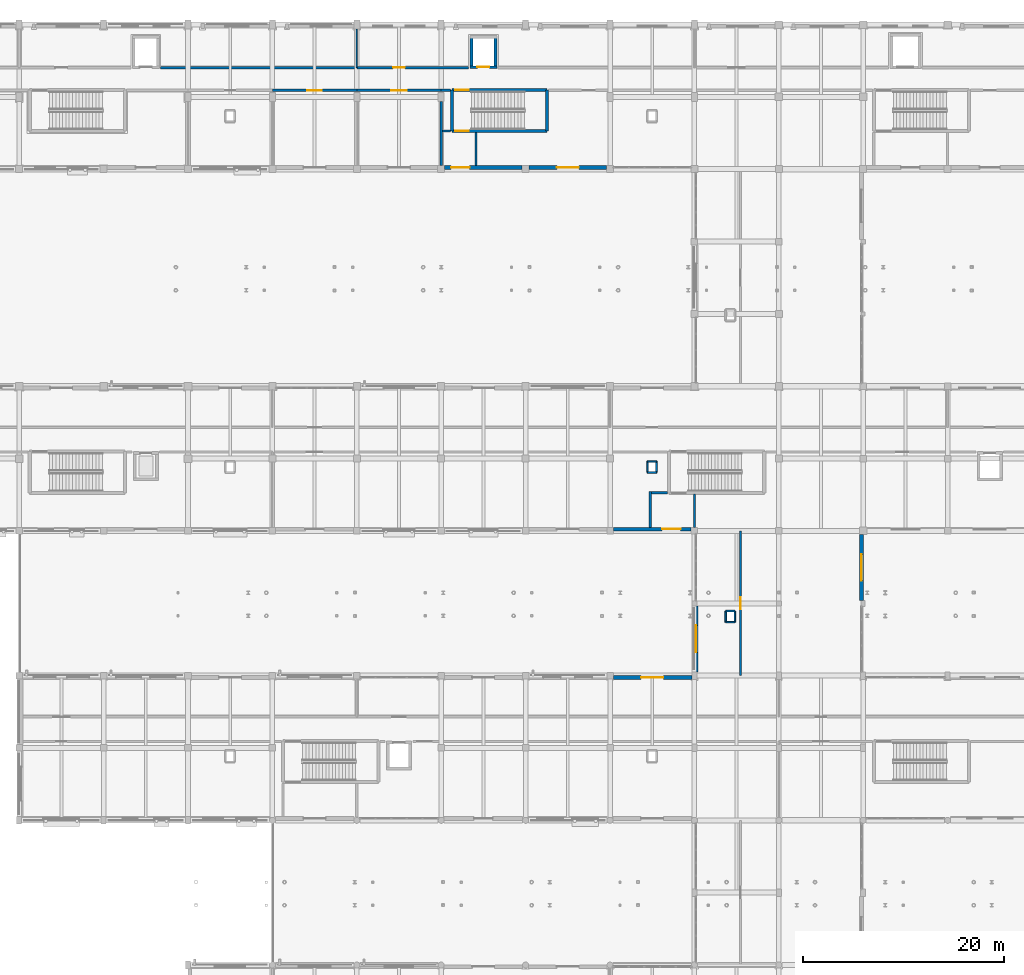
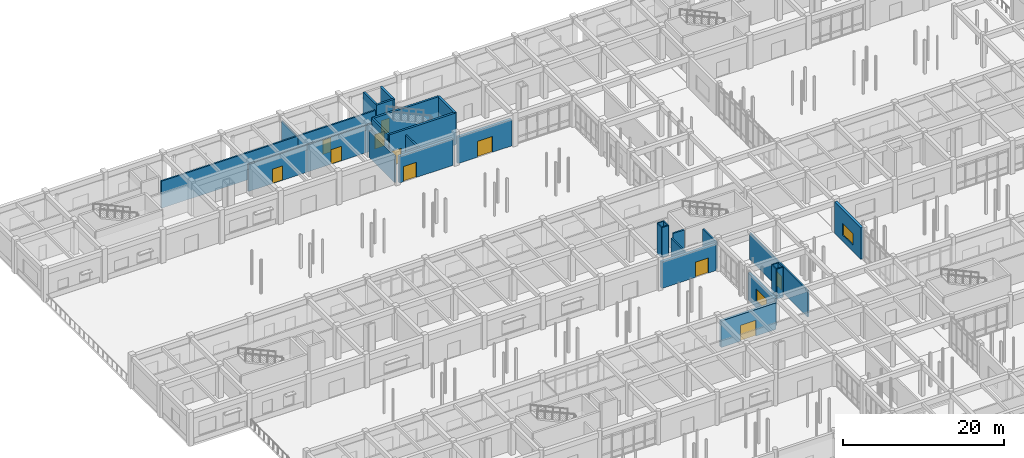
# One storey, part 82 of 121: 34 walls, 11 doors, 2 windows, 13 openings.
"""IFC4 building model written with IfcOpenShell, lengths in metres."""

from ifc_helpers import new_model, si_unit, direction, frame, frame_2d, origin, place, context, subcontext, project, spatial, rectangle, extrude, material, layer, layer_set, type_object, element, fill, save


model = new_model("IFC4")

# Units and contexts
model_context = context("Model", 3, precision=1e-05, world=origin(), true_north=direction((0.0, 1.0)))
body_context = subcontext(model_context, "Body", "Model", "MODEL_VIEW")
ifc_project = project(units=[si_unit("LENGTHUNIT", "METRE"), si_unit("AREAUNIT", "SQUARE_METRE"), si_unit("VOLUMEUNIT", "CUBIC_METRE"), si_unit("PLANEANGLEUNIT", "RADIAN"), si_unit("MASSUNIT", "GRAM", prefix="KILO")], contexts=[model_context])

# Site, building, storey
site_placement = place(None, origin())
site = spatial("IfcSite", under=ifc_project, at=site_placement, CompositionType="ELEMENT")
building_placement = place(site_placement, origin())
building = spatial("IfcBuilding", under=site, at=building_placement, Name="Malvenik Polytechnic", CompositionType="ELEMENT")
storey_placement = place(building_placement, origin())
storey = spatial("IfcBuildingStorey", under=building, at=storey_placement, Name="L00", CompositionType="ELEMENT", Elevation=0.0)

# Wall, opening, door
ifc_material_1 = material(Name="Concrete C35/45", Category="concrete")
ifc_layer_1 = layer(ifc_material_1, 0.280029296875)
ifc_layer_set_1 = layer_set([ifc_layer_1], Name="Concrete C35/45")
wall_type_1 = type_object("IfcWallType", Name="ARC-CW-S280", PredefinedType="SHEAR", material=ifc_layer_set_1)
wall_1_placement = place(storey_placement, frame((55.93994140625, 125.35009765625, 0.0), z_axis=(0.0, 0.0, 1.0), x_axis=(-1.0, 0.0, 0.0)))
wall_1 = element("IfcWall", 1, at=wall_1_placement, inside=storey, type_object=wall_type_1, Name="Lift Shaft Shear Wall LS-02 L00 -Y", PredefinedType="SHEAR", context=body_context, shape_type="SweptSolid", body=[
    extrude(rectangle(XDim=2.679931640625, YDim=0.280029296875, at=frame_2d((1.33984375, 0.0))), origin(), (0.0, 0.0, 1.0), 4.820068359375),
])
opening_1_placement = place(wall_1_placement, frame((0.739990234375, 0.0, 0.0)))
opening_1 = element("IfcOpeningElement", 2, at=opening_1_placement, cuts=wall_1, Name="Opening LD-02", PredefinedType="OPENING", context=body_context, shape_type="SweptSolid", body=[
    extrude(rectangle(XDim=1.199951171875, YDim=2.14990234375, at=frame_2d((0.60009765625, 1.074951171875))), frame((0.0, 0.14990234375, 0.0), z_axis=(0.0, -1.0, 0.0), x_axis=(1.0, 0.0, 0.0)), (0.0, 0.0, 1.0), 0.300048828125),
])
ifc_material_2 = material(Name="Stainless steel fire-rated sliding lift landing door", Category="steel")
door_type_1 = type_object("IfcDoorType", Name="ARC-LDR-LD-02", OperationType="NOTDEFINED", PredefinedType="DOOR", material=ifc_material_2)
door_1_placement = place(opening_1_placement, origin())
door_1 = element("IfcDoor", 3, at=door_1_placement, inside=storey, type_object=door_type_1, Name="Lift Sliding Landing Door LS-02 L00", OperationType="DOUBLE_DOOR_SLIDING", OverallHeight=2.14990234375, OverallWidth=1.199951171875, PredefinedType="DOOR", context=body_context, shape_type="SweptSolid", body=[
    extrude(rectangle(XDim=1.199951171875, YDim=2.14990234375, at=frame_2d((0.60009765625, 1.074951171875))), frame((0.0, 0.02490234375, 0.0), z_axis=(0.0, -1.0, 0.0), x_axis=(1.0, 0.0, 0.0)), (0.0, 0.0, 1.0), 0.050048828125),
])
fill(opening_1, door_1)

# Walls
for number, where, z_axis, x_axis, name in (
    (4, (53.39990234375, 125.2099609375, 0.0), (0.0, 0.0, 1.0), (0.0, 1.0, 0.0), "Lift Shaft Shear Wall LS-02 L00 -X"),
    (5, (55.800048828125, 128.489990234375, 0.0), (0.0, 0.0, 1.0), (0.0, -1.0, 0.0), "Lift Shaft Shear Wall LS-02 L00 +X"),
):
    element("IfcWall", number, at=place(storey_placement, frame(where, z_axis=z_axis, x_axis=x_axis)), inside=storey, type_object=wall_type_1, Name=name, PredefinedType="SHEAR", context=body_context, shape_type="SweptSolid", body=[
        extrude(rectangle(XDim=3.280029296875, YDim=0.280029296875, at=frame_2d((1.64013671875, 0.0))), origin(), (0.0, 0.0, 1.0), 4.820068359375),
    ])
ifc_layer_2 = layer(ifc_material_1, 0.300048828125)
ifc_layer_set_2 = layer_set([ifc_layer_2], Name="Concrete C35/45")
wall_type_2 = type_object("IfcWallType", Name="ARC-CW-S300", PredefinedType="SHEAR", material=ifc_layer_set_2)
wall_2_placement = place(storey_placement, frame((51.449951171875, 119.0, 0.0), z_axis=(0.0, 0.0, 1.0), x_axis=(0.0, 1.0, 0.0)))
element("IfcWall", 6, at=wall_2_placement, inside=storey, type_object=wall_type_2, Name="Stair Core Shear Wall ST-02 L00 NEAR", PredefinedType="SHEAR", context=body_context, shape_type="SweptSolid", body=[
    extrude(rectangle(XDim=4.10009765625, YDim=0.300048828125, at=frame_2d((2.050048828125, 0.0))), origin(), (0.0, 0.0, 1.0), 4.820068359375),
])

# Wall, opening, door
wall_3_placement = place(storey_placement, frame((51.449951171875, 123.10009765625, 0.0), z_axis=(0.0, 0.0, 1.0), x_axis=(1.0, 0.0, 0.0)))
wall_3 = element("IfcWall", 7, at=wall_3_placement, inside=storey, type_object=wall_type_2, Name="Stair Core Shear Wall ST-02 L00 RGHT", PredefinedType="SHEAR", context=body_context, shape_type="SweptSolid", body=[
    extrude(rectangle(XDim=9.5, YDim=0.300048828125, at=frame_2d((4.75, 0.0))), origin(), (0.0, 0.0, 1.0), 4.820068359375),
])
opening_2_placement = place(wall_3_placement, frame((0.35009765625, 0.0, 0.0)))
opening_2 = element("IfcOpeningElement", 8, at=opening_2_placement, cuts=wall_3, Name="Opening SD-01", PredefinedType="OPENING", context=body_context, shape_type="SweptSolid", body=[
    extrude(rectangle(XDim=1.35009765625, YDim=2.199951171875, at=frame_2d((0.675048828125, 1.10009765625))), frame((0.0, 0.16015625, 0.0), z_axis=(0.0, -1.0, 0.0), x_axis=(1.0, 0.0, 0.0)), (0.0, 0.0, 1.0), 0.320068359375),
])
ifc_material_3 = material(Name="Fire-rated steel stair enclosure door", Category="steel")
door_type_2 = type_object("IfcDoorType", Name="ARC-IDR-SD-01", OperationType="NOTDEFINED", PredefinedType="DOOR", material=ifc_material_3)
door_2_placement = place(opening_2_placement, origin())
door_2 = element("IfcDoor", 9, at=door_2_placement, inside=storey, type_object=door_type_2, Name="Fire Stair Door ST-02 L00", OperationType="SINGLE_SWING_LEFT", OverallHeight=2.199951171875, OverallWidth=1.35009765625, PredefinedType="DOOR", context=body_context, shape_type="SweptSolid", body=[
    extrude(rectangle(XDim=1.35009765625, YDim=2.199951171875, at=frame_2d((0.675048828125, 1.10009765625))), frame((0.0, 0.02490234375, 0.0), z_axis=(0.0, -1.0, 0.0), x_axis=(1.0, 0.0, 0.0)), (0.0, 0.0, 1.0), 0.050048828125),
])
fill(opening_2, door_2)

# Wall
wall_4_placement = place(storey_placement, frame((60.949951171875, 123.10009765625, 0.0), z_axis=(0.0, 0.0, 1.0), x_axis=(0.0, -1.0, 0.0)))
element("IfcWall", 10, at=wall_4_placement, inside=storey, type_object=wall_type_2, Name="Stair Core Shear Wall ST-02 L00 FAR", PredefinedType="SHEAR", context=body_context, shape_type="SweptSolid", body=[
    extrude(rectangle(XDim=4.10009765625, YDim=0.300048828125, at=frame_2d((2.050048828125, 0.0))), origin(), (0.0, 0.0, 1.0), 4.820068359375),
])

# Wall, opening, door
wall_5_placement = place(storey_placement, frame((60.949951171875, 119.0, 0.0), z_axis=(0.0, 0.0, 1.0), x_axis=(-1.0, 0.0, 0.0)))
wall_5 = element("IfcWall", 11, at=wall_5_placement, inside=storey, type_object=wall_type_2, Name="Stair Core Shear Wall ST-02 L00 LEFT", PredefinedType="SHEAR", context=body_context, shape_type="SweptSolid", body=[
    extrude(rectangle(XDim=9.5, YDim=0.300048828125, at=frame_2d((4.75, 0.0))), origin(), (0.0, 0.0, 1.0), 4.820068359375),
])
opening_3_placement = place(wall_5_placement, frame((7.800048828125, 0.0, 0.0)))
opening_3 = element("IfcOpeningElement", 12, at=opening_3_placement, cuts=wall_5, Name="Opening SD-01", PredefinedType="OPENING", context=body_context, shape_type="SweptSolid", body=[
    extrude(rectangle(XDim=1.35009765625, YDim=2.199951171875, at=frame_2d((0.675048828125, 1.10009765625))), frame((0.0, 0.16015625, 0.0), z_axis=(0.0, -1.0, 0.0), x_axis=(1.0, 0.0, 0.0)), (0.0, 0.0, 1.0), 0.320068359375),
])
door_3_placement = place(opening_3_placement, origin())
door_3 = element("IfcDoor", 13, at=door_3_placement, inside=storey, type_object=door_type_2, Name="Fire Stair Exit Discharge Door ST-02 L00", OperationType="SINGLE_SWING_RIGHT", OverallHeight=2.199951171875, OverallWidth=1.35009765625, PredefinedType="DOOR", context=body_context, shape_type="SweptSolid", body=[
    extrude(rectangle(XDim=1.35009765625, YDim=2.199951171875, at=frame_2d((0.675048828125, 1.10009765625))), frame((0.0, 0.02490234375, 0.0), z_axis=(0.0, -1.0, 0.0), x_axis=(1.0, 0.0, 0.0)), (0.0, 0.0, 1.0), 0.050048828125),
])
fill(opening_3, door_3)

ifc_material_4 = material(Name="Concrete C30/37", Category="concrete")
ifc_layer_3 = layer(ifc_material_4, 0.3798828125)
ifc_layer_set_3 = layer_set([ifc_layer_3], Name="Concrete C30/37")
wall_type_3 = type_object("IfcWallType", Name="ARC-EW-380", PredefinedType="SOLIDWALL", material=ifc_layer_set_3)
wall_6_placement = place(storey_placement, frame((67.52294921875, 64.6298828125, 0.0), z_axis=(0.0, 0.0, 1.0), x_axis=(1.0, 0.0, 0.0)))
wall_6 = element("IfcWall", 14, at=wall_6_placement, inside=storey, type_object=wall_type_3, Name="External Facade Wall EW-01 L00 #51", PredefinedType="SOLIDWALL", context=body_context, shape_type="SweptSolid", body=[
    extrude(rectangle(XDim=7.8291015625, YDim=0.3798828125, at=frame_2d((3.91455078125, 0.0))), origin(), (0.0, 0.0, 1.0), 4.010009765625),
])
opening_4_placement = place(wall_6_placement, frame((2.777099609375, 0.0, 0.0)))
opening_4 = element("IfcOpeningElement", 15, at=opening_4_placement, cuts=wall_6, Name="Opening ED-02", PredefinedType="OPENING", context=body_context, shape_type="SweptSolid", body=[
    extrude(rectangle(XDim=2.199951171875, YDim=2.39990234375, at=frame_2d((1.10009765625, 1.199951171875))), frame((0.0, 0.199951171875, 0.0), z_axis=(0.0, -1.0, 0.0), x_axis=(1.0, 0.0, 0.0)), (0.0, 0.0, 1.0), 0.39990234375),
])
ifc_material_5 = material(Name="Thermally broken glazed aluminium entrance door", Category="aluminium")
door_type_3 = type_object("IfcDoorType", Name="ARC-EDR-ED-02", OperationType="NOTDEFINED", PredefinedType="DOOR", material=ifc_material_5)
door_4_placement = place(opening_4_placement, origin())
door_4 = element("IfcDoor", 16, at=door_4_placement, inside=storey, type_object=door_type_3, Name="External Door ED-02 L00 #10", OperationType="DOUBLE_DOOR_SINGLE_SWING", OverallHeight=2.39990234375, OverallWidth=2.199951171875, PredefinedType="DOOR", context=body_context, shape_type="SweptSolid", body=[
    extrude(rectangle(XDim=2.199951171875, YDim=2.39990234375, at=frame_2d((1.10009765625, 1.199951171875))), frame((0.0, 0.02490234375, 0.0), z_axis=(0.0, -1.0, 0.0), x_axis=(1.0, 0.0, 0.0)), (0.0, 0.0, 1.0), 0.050048828125),
])
fill(opening_4, door_4)

# Wall, opening, window
wall_7_placement = place(storey_placement, frame((75.77001953125, 65.173095703125, 0.0), z_axis=(0.0, 0.0, 1.0), x_axis=(0.0, 1.0, 0.0)))
wall_7 = element("IfcWall", 17, at=wall_7_placement, inside=storey, type_object=wall_type_3, Name="External Facade Wall EW-01 L00 #52", PredefinedType="SOLIDWALL", context=body_context, shape_type="SweptSolid", body=[
    extrude(rectangle(XDim=6.578857421875, YDim=0.3798828125, at=frame_2d((3.28955078125, 0.0))), origin(), (0.0, 0.0, 1.0), 4.110107421875),
])
opening_5_placement = place(wall_7_placement, frame((1.939453125, 0.0, 0.949951171875)))
opening_5 = element("IfcOpeningElement", 18, at=opening_5_placement, cuts=wall_7, Name="Opening W-27", PredefinedType="OPENING", context=body_context, shape_type="SweptSolid", body=[
    extrude(rectangle(XDim=2.699951171875, YDim=1.89990234375, at=frame_2d((1.35009765625, 0.949951171875))), frame((0.0, 0.199951171875, 0.0), z_axis=(0.0, -1.0, 0.0), x_axis=(1.0, 0.0, 0.0)), (0.0, 0.0, 1.0), 0.39990234375),
])
ifc_material_6 = material(Name="Thermally broken aluminium frame with low-E double glazing", Category="aluminium")
window_type_1 = type_object("IfcWindowType", Name="ARC-WIN-W-27", PartitioningType="SINGLE_PANEL", PredefinedType="WINDOW", material=ifc_material_6)
window_1_placement = place(opening_5_placement, origin())
window_1 = element("IfcWindow", 19, at=window_1_placement, inside=storey, type_object=window_type_1, Name="Punched Window W-27 L00 #21", OverallHeight=1.89990234375, OverallWidth=2.699951171875, PartitioningType="SINGLE_PANEL", PredefinedType="WINDOW", context=body_context, shape_type="SweptSolid", body=[
    extrude(rectangle(XDim=2.699951171875, YDim=1.89990234375, at=frame_2d((1.35009765625, 0.949951171875))), frame((0.0, 0.030029296875, 0.0), z_axis=(0.0, -1.0, 0.0), x_axis=(1.0, 0.0, 0.0)), (0.0, 0.0, 1.0), 0.06005859375),
])
fill(opening_5, window_1)

# Wall, opening, door
wall_8_placement = place(storey_placement, frame((75.277099609375, 79.3701171875, 0.0), z_axis=(0.0, 0.0, 1.0), x_axis=(-1.0, 0.0, 0.0)))
wall_8 = element("IfcWall", 20, at=wall_8_placement, inside=storey, type_object=wall_type_3, Name="External Facade Wall EW-01 L00 #53", PredefinedType="SOLIDWALL", context=body_context, shape_type="SweptSolid", body=[
    extrude(rectangle(XDim=7.754150390625, YDim=0.3798828125, at=frame_2d((3.876953125, 0.0))), origin(), (0.0, 0.0, 1.0), 4.010009765625),
])
opening_6_placement = place(wall_8_placement, frame((1.052001953125, 0.0, 0.0)))
opening_6 = element("IfcOpeningElement", 21, at=opening_6_placement, cuts=wall_8, Name="Opening ED-03", PredefinedType="OPENING", context=body_context, shape_type="SweptSolid", body=[
    extrude(rectangle(XDim=1.85009765625, YDim=2.300048828125, at=frame_2d((0.925048828125, 1.14990234375))), frame((0.0, 0.199951171875, 0.0), z_axis=(0.0, -1.0, 0.0), x_axis=(1.0, 0.0, 0.0)), (0.0, 0.0, 1.0), 0.39990234375),
])
ifc_material_7 = material(Name="Powder-coated steel emergency exit double door", Category="steel")
door_type_4 = type_object("IfcDoorType", Name="ARC-EDR-ED-03", OperationType="NOTDEFINED", PredefinedType="DOOR", material=ifc_material_7)
door_5_placement = place(opening_6_placement, origin())
door_5 = element("IfcDoor", 22, at=door_5_placement, inside=storey, type_object=door_type_4, Name="External Door ED-03 L00 #11", OperationType="DOUBLE_DOOR_SINGLE_SWING", OverallHeight=2.300048828125, OverallWidth=1.85009765625, PredefinedType="DOOR", context=body_context, shape_type="SweptSolid", body=[
    extrude(rectangle(XDim=1.85009765625, YDim=2.300048828125, at=frame_2d((0.925048828125, 1.14990234375))), frame((0.0, 0.02490234375, 0.0), z_axis=(0.0, -1.0, 0.0), x_axis=(1.0, 0.0, 0.0)), (0.0, 0.0, 1.0), 0.050048828125),
])
fill(opening_6, door_5)

wall_9_placement = place(storey_placement, frame((66.85205078125, 115.3701171875, 0.0), z_axis=(0.0, 0.0, 1.0), x_axis=(-1.0, 0.0, 0.0)))
wall_9 = element("IfcWall", 23, at=wall_9_placement, inside=storey, type_object=wall_type_3, Name="External Facade Wall EW-01 L00 #73", PredefinedType="SOLIDWALL", context=body_context, shape_type="SweptSolid", body=[
    extrude(rectangle(XDim=7.7041015625, YDim=0.3798828125, at=frame_2d((3.85205078125, 0.0))), origin(), (0.0, 0.0, 1.0), 4.010009765625),
])
opening_7_placement = place(wall_9_placement, frame((2.751953125, 0.0, 0.0)))
opening_7 = element("IfcOpeningElement", 24, at=opening_7_placement, cuts=wall_9, Name="Opening ED-02", PredefinedType="OPENING", context=body_context, shape_type="SweptSolid", body=[
    extrude(rectangle(XDim=2.199951171875, YDim=2.39990234375, at=frame_2d((1.10009765625, 1.199951171875))), frame((0.0, 0.199951171875, 0.0), z_axis=(0.0, -1.0, 0.0), x_axis=(1.0, 0.0, 0.0)), (0.0, 0.0, 1.0), 0.39990234375),
])
door_6_placement = place(opening_7_placement, origin())
door_6 = element("IfcDoor", 25, at=door_6_placement, inside=storey, type_object=door_type_3, Name="External Door ED-02 L00 #19", OperationType="DOUBLE_DOOR_SINGLE_SWING", OverallHeight=2.39990234375, OverallWidth=2.199951171875, PredefinedType="DOOR", context=body_context, shape_type="SweptSolid", body=[
    extrude(rectangle(XDim=2.199951171875, YDim=2.39990234375, at=frame_2d((1.10009765625, 1.199951171875))), frame((0.0, 0.02490234375, 0.0), z_axis=(0.0, -1.0, 0.0), x_axis=(1.0, 0.0, 0.0)), (0.0, 0.0, 1.0), 0.050048828125),
])
fill(opening_7, door_6)

wall_10_placement = place(storey_placement, frame((58.451904296875, 115.3701171875, 0.0), z_axis=(0.0, 0.0, 1.0), x_axis=(-1.0, 0.0, 0.0)))
wall_10 = element("IfcWall", 26, at=wall_10_placement, inside=storey, type_object=wall_type_3, Name="External Facade Wall EW-01 L00 #74", PredefinedType="SOLIDWALL", context=body_context, shape_type="SweptSolid", body=[
    extrude(rectangle(XDim=7.703857421875, YDim=0.3798828125, at=frame_2d((3.85205078125, 0.0))), origin(), (0.0, 0.0, 1.0), 4.010009765625),
])
opening_8_placement = place(wall_10_placement, frame((5.22705078125, 0.0, 0.0)))
opening_8 = element("IfcOpeningElement", 27, at=opening_8_placement, cuts=wall_10, Name="Opening ED-03", PredefinedType="OPENING", context=body_context, shape_type="SweptSolid", body=[
    extrude(rectangle(XDim=1.85009765625, YDim=2.300048828125, at=frame_2d((0.925048828125, 1.14990234375))), frame((0.0, 0.199951171875, 0.0), z_axis=(0.0, -1.0, 0.0), x_axis=(1.0, 0.0, 0.0)), (0.0, 0.0, 1.0), 0.39990234375),
])
door_7_placement = place(opening_8_placement, origin())
door_7 = element("IfcDoor", 28, at=door_7_placement, inside=storey, type_object=door_type_4, Name="External Door ED-03 L00 #20", OperationType="DOUBLE_DOOR_SINGLE_SWING", OverallHeight=2.300048828125, OverallWidth=1.85009765625, PredefinedType="DOOR", context=body_context, shape_type="SweptSolid", body=[
    extrude(rectangle(XDim=1.85009765625, YDim=2.300048828125, at=frame_2d((0.925048828125, 1.14990234375))), frame((0.0, 0.02490234375, 0.0), z_axis=(0.0, -1.0, 0.0), x_axis=(1.0, 0.0, 0.0)), (0.0, 0.0, 1.0), 0.050048828125),
])
fill(opening_8, door_7)

# Wall, opening, window
wall_11_placement = place(storey_placement, frame((92.22998046875, 78.826904296875, 0.0), z_axis=(0.0, 0.0, 1.0), x_axis=(0.0, -1.0, 0.0)))
wall_11 = element("IfcWall", 29, at=wall_11_placement, inside=storey, type_object=wall_type_3, Name="External Facade Wall EW-01 L00 #172", PredefinedType="SOLIDWALL", context=body_context, shape_type="SweptSolid", body=[
    extrude(rectangle(XDim=6.52880859375, YDim=0.3798828125, at=frame_2d((3.264404296875, 0.0))), origin(), (0.0, 0.0, 1.0), 4.760009765625),
])
opening_9_placement = place(wall_11_placement, frame((1.964599609375, 0.0, 0.949951171875)))
opening_9 = element("IfcOpeningElement", 30, at=opening_9_placement, cuts=wall_11, Name="Opening W-11", PredefinedType="OPENING", context=body_context, shape_type="SweptSolid", body=[
    extrude(rectangle(XDim=2.60009765625, YDim=1.800048828125, at=frame_2d((1.300048828125, 0.89990234375))), frame((0.0, 0.199951171875, 0.0), z_axis=(0.0, -1.0, 0.0), x_axis=(1.0, 0.0, 0.0)), (0.0, 0.0, 1.0), 0.39990234375),
])
window_type_2 = type_object("IfcWindowType", Name="ARC-WIN-W-11", PartitioningType="SINGLE_PANEL", PredefinedType="WINDOW", material=ifc_material_6)
window_2_placement = place(opening_9_placement, origin())
window_2 = element("IfcWindow", 31, at=window_2_placement, inside=storey, type_object=window_type_2, Name="Punched Window W-11 L00 #133", OverallHeight=1.800048828125, OverallWidth=2.60009765625, PartitioningType="SINGLE_PANEL", PredefinedType="WINDOW", context=body_context, shape_type="SweptSolid", body=[
    extrude(rectangle(XDim=2.60009765625, YDim=1.800048828125, at=frame_2d((1.300048828125, 0.89990234375))), frame((0.0, 0.030029296875, 0.0), z_axis=(0.0, -1.0, 0.0), x_axis=(1.0, 0.0, 0.0)), (0.0, 0.0, 1.0), 0.06005859375),
])
fill(opening_9, window_2)

# Wall
ifc_material_8 = material(Name="Autoclaved aerated concrete blockwork 220mm", Category="masonry")
ifc_layer_4 = layer(ifc_material_8, 0.219970703125)
ifc_layer_set_4 = layer_set([ifc_layer_4], Name="Autoclaved aerated concrete blockwork 220mm")
wall_type_4 = type_object("IfcWallType", Name="ARC-FW-220", PredefinedType="SOLIDWALL", material=ifc_layer_set_4)
wall_12_placement = place(storey_placement, frame((22.469970703125, 125.300048828125, 0.0), z_axis=(0.0, 0.0, 1.0), x_axis=(1.0, 0.0, 0.0)))
element("IfcWall", 32, at=wall_12_placement, inside=storey, type_object=wall_type_4, Name="Interior Partition FW-01 L00 #48", PredefinedType="SOLIDWALL", context=body_context, shape_type="SweptSolid", body=[
    extrude(rectangle(XDim=19.530029296875, YDim=0.219970703125, at=frame_2d((9.76513671875, 0.0))), origin(), (0.0, 0.0, 1.0), 4.10498046875),
])

# Wall, opening, door
wall_13_placement = place(storey_placement, frame((42.0, 125.300048828125, 0.0), z_axis=(0.0, 0.0, 1.0), x_axis=(1.0, 0.0, 0.0)))
wall_13 = element("IfcWall", 33, at=wall_13_placement, inside=storey, type_object=wall_type_4, Name="Interior Partition FW-01 L00 #50", PredefinedType="SOLIDWALL", context=body_context, shape_type="SweptSolid", body=[
    extrude(rectangle(XDim=11.1298828125, YDim=0.219970703125, at=frame_2d((5.56494140625, 0.0))), origin(), (0.0, 0.0, 1.0), 4.10498046875),
])
opening_10_placement = place(wall_13_placement, frame((3.625, 0.0, 0.0)))
opening_10 = element("IfcOpeningElement", 34, at=opening_10_placement, cuts=wall_13, Name="Opening FD-01", PredefinedType="OPENING", context=body_context, shape_type="SweptSolid", body=[
    extrude(rectangle(XDim=1.14990234375, YDim=2.14990234375, at=frame_2d((0.574951171875, 1.074951171875))), frame((0.0, 0.1201171875, 0.0), z_axis=(0.0, -1.0, 0.0), x_axis=(1.0, 0.0, 0.0)), (0.0, 0.0, 1.0), 0.239990234375),
])
ifc_material_9 = material(Name="Fire-rated timber acoustic corridor door", Category="wood")
door_type_5 = type_object("IfcDoorType", Name="ARC-IDR-FD-01", OperationType="NOTDEFINED", PredefinedType="DOOR", material=ifc_material_9)
door_8_placement = place(opening_10_placement, origin())
door_8 = element("IfcDoor", 35, at=door_8_placement, inside=storey, type_object=door_type_5, Name="Interior Door FD-01 L00 #24", OperationType="SINGLE_SWING_LEFT", OverallHeight=2.14990234375, OverallWidth=1.14990234375, PredefinedType="DOOR", context=body_context, shape_type="SweptSolid", body=[
    extrude(rectangle(XDim=1.14990234375, YDim=2.14990234375, at=frame_2d((0.574951171875, 1.074951171875))), frame((0.0, 0.02490234375, 0.0), z_axis=(0.0, -1.0, 0.0), x_axis=(1.0, 0.0, 0.0)), (0.0, 0.0, 1.0), 0.050048828125),
])
fill(opening_10, door_8)

wall_14_placement = place(storey_placement, frame((42.0, 123.050048828125, 0.0), z_axis=(0.0, 0.0, 1.0), x_axis=(-1.0, 0.0, 0.0)))
wall_14 = element("IfcWall", 36, at=wall_14_placement, inside=storey, type_object=wall_type_4, Name="Interior Partition FW-01 L00 #62", PredefinedType="SOLIDWALL", context=body_context, shape_type="SweptSolid", body=[
    extrude(rectangle(XDim=8.39990234375, YDim=0.219970703125, at=frame_2d((4.199951171875, 0.0))), origin(), (0.0, 0.0, 1.0), 4.10498046875),
])
opening_11_placement = place(wall_14_placement, frame((3.47509765625, 0.0, 0.0)))
opening_11 = element("IfcOpeningElement", 37, at=opening_11_placement, cuts=wall_14, Name="Opening FD-08", PredefinedType="OPENING", context=body_context, shape_type="SweptSolid", body=[
    extrude(rectangle(XDim=1.449951171875, YDim=2.199951171875, at=frame_2d((0.72509765625, 1.10009765625))), frame((0.0, 0.1201171875, 0.0), z_axis=(0.0, -1.0, 0.0), x_axis=(1.0, 0.0, 0.0)), (0.0, 0.0, 1.0), 0.239990234375),
])
ifc_material_10 = material(Name="Fire-rated seminar corridor door", Category="steel")
door_type_6 = type_object("IfcDoorType", Name="ARC-IDR-FD-08", OperationType="NOTDEFINED", PredefinedType="DOOR", material=ifc_material_10)
door_9_placement = place(opening_11_placement, origin())
door_9 = element("IfcDoor", 38, at=door_9_placement, inside=storey, type_object=door_type_6, Name="Interior Door FD-08 L00 #29", OperationType="SINGLE_SWING_LEFT", OverallHeight=2.199951171875, OverallWidth=1.449951171875, PredefinedType="DOOR", context=body_context, shape_type="SweptSolid", body=[
    extrude(rectangle(XDim=1.449951171875, YDim=2.199951171875, at=frame_2d((0.72509765625, 1.10009765625))), frame((0.0, 0.02490234375, 0.0), z_axis=(0.0, -1.0, 0.0), x_axis=(1.0, 0.0, 0.0)), (0.0, 0.0, 1.0), 0.050048828125),
])
fill(opening_11, door_9)

wall_15_placement = place(storey_placement, frame((50.39990234375, 123.050048828125, 0.0), z_axis=(0.0, 0.0, 1.0), x_axis=(-1.0, 0.0, 0.0)))
wall_15 = element("IfcWall", 39, at=wall_15_placement, inside=storey, type_object=wall_type_4, Name="Interior Partition FW-01 L00 #64", PredefinedType="SOLIDWALL", context=body_context, shape_type="SweptSolid", body=[
    extrude(rectangle(XDim=8.39990234375, YDim=0.219970703125, at=frame_2d((4.199951171875, 0.0))), origin(), (0.0, 0.0, 1.0), 4.10498046875),
])
opening_12_placement = place(wall_15_placement, frame((3.425048828125, 0.0, 0.0)))
opening_12 = element("IfcOpeningElement", 40, at=opening_12_placement, cuts=wall_15, Name="Opening FD-09", PredefinedType="OPENING", context=body_context, shape_type="SweptSolid", body=[
    extrude(rectangle(XDim=1.550048828125, YDim=2.199951171875, at=frame_2d((0.77490234375, 1.10009765625))), frame((0.0, 0.1201171875, 0.0), z_axis=(0.0, -1.0, 0.0), x_axis=(1.0, 0.0, 0.0)), (0.0, 0.0, 1.0), 0.239990234375),
])
ifc_material_11 = material(Name="Fire-rated studio corridor double door", Category="steel")
door_type_7 = type_object("IfcDoorType", Name="ARC-IDR-FD-09", OperationType="NOTDEFINED", PredefinedType="DOOR", material=ifc_material_11)
door_10_placement = place(opening_12_placement, origin())
door_10 = element("IfcDoor", 41, at=door_10_placement, inside=storey, type_object=door_type_7, Name="Interior Door FD-09 L00 #30", OperationType="DOUBLE_DOOR_SINGLE_SWING", OverallHeight=2.199951171875, OverallWidth=1.550048828125, PredefinedType="DOOR", context=body_context, shape_type="SweptSolid", body=[
    extrude(rectangle(XDim=1.550048828125, YDim=2.199951171875, at=frame_2d((0.77490234375, 1.10009765625))), frame((0.0, 0.02490234375, 0.0), z_axis=(0.0, -1.0, 0.0), x_axis=(1.0, 0.0, 0.0)), (0.0, 0.0, 1.0), 0.050048828125),
])
fill(opening_12, door_10)

# Walls
wall_16_placement = place(storey_placement, frame((50.39990234375, 115.570068359375, 0.0), z_axis=(0.0, 0.0, 1.0), x_axis=(0.0, 1.0, 0.0)))
element("IfcWall", 42, at=wall_16_placement, inside=storey, type_object=wall_type_4, Name="Interior Partition FW-01 L00 #65", PredefinedType="SOLIDWALL", context=body_context, shape_type="SweptSolid", body=[
    extrude(rectangle(XDim=6.35986328125, YDim=0.219970703125, at=frame_2d((3.179931640625, 0.0))), origin(), (0.0, 0.0, 1.0), 4.0048828125),
])
wall_17_placement = place(storey_placement, frame((51.31005859375, 123.050048828125, 0.0), z_axis=(0.0, 0.0, 1.0), x_axis=(-1.0, 0.0, 0.0)))
element("IfcWall", 43, at=wall_17_placement, inside=storey, type_object=wall_type_4, Name="Interior Partition FW-01 L00 #67", PredefinedType="SOLIDWALL", context=body_context, shape_type="SweptSolid", body=[
    extrude(rectangle(XDim=0.91015625, YDim=0.219970703125, at=frame_2d((0.455078125, 0.0))), origin(), (0.0, 0.0, 1.0), 4.10498046875),
])
wall_18_placement = place(storey_placement, frame((75.60009765625, 79.544921875, 0.0), z_axis=(0.0, 0.0, 1.0), x_axis=(0.0, 1.0, 0.0)))
element("IfcWall", 44, at=wall_18_placement, inside=storey, type_object=wall_type_4, Name="Interior Partition FW-01 L00 #83", PredefinedType="SOLIDWALL", context=body_context, shape_type="SweptSolid", body=[
    extrude(rectangle(XDim=3.315185546875, YDim=0.219970703125, at=frame_2d((1.65771484375, 0.0))), origin(), (0.0, 0.0, 1.0), 4.0048828125),
])

# Wall, opening, door
wall_19_placement = place(storey_placement, frame((80.199951171875, 64.800048828125, 0.0), z_axis=(0.0, 0.0, 1.0), x_axis=(0.0, 1.0, 0.0)))
wall_19 = element("IfcWall", 45, at=wall_19_placement, inside=storey, type_object=wall_type_4, Name="Interior Partition FW-01 L00 #118", PredefinedType="SOLIDWALL", context=body_context, shape_type="SweptSolid", body=[
    extrude(rectangle(XDim=14.39990234375, YDim=0.219970703125, at=frame_2d((7.199951171875, 0.0))), origin(), (0.0, 0.0, 1.0), 4.0048828125),
])
opening_13_placement = place(wall_19_placement, frame((6.60009765625, 0.0, 0.0)))
opening_13 = element("IfcOpeningElement", 46, at=opening_13_placement, cuts=wall_19, Name="Opening FD-10", PredefinedType="OPENING", context=body_context, shape_type="SweptSolid", body=[
    extrude(rectangle(XDim=1.199951171875, YDim=2.14990234375, at=frame_2d((0.60009765625, 1.074951171875))), frame((0.0, 0.1201171875, 0.0), z_axis=(0.0, -1.0, 0.0), x_axis=(1.0, 0.0, 0.0)), (0.0, 0.0, 1.0), 0.239990234375),
])
ifc_material_12 = material(Name="Fire-rated laboratory corridor door", Category="steel")
door_type_8 = type_object("IfcDoorType", Name="ARC-IDR-FD-10", OperationType="NOTDEFINED", PredefinedType="DOOR", material=ifc_material_12)
door_11_placement = place(opening_13_placement, origin())
door_11 = element("IfcDoor", 47, at=door_11_placement, inside=storey, type_object=door_type_8, Name="Interior Door FD-10 L00 #55", OperationType="SINGLE_SWING_RIGHT", OverallHeight=2.14990234375, OverallWidth=1.199951171875, PredefinedType="DOOR", context=body_context, shape_type="SweptSolid", body=[
    extrude(rectangle(XDim=1.199951171875, YDim=2.14990234375, at=frame_2d((0.60009765625, 1.074951171875))), frame((0.0, 0.02490234375, 0.0), z_axis=(0.0, -1.0, 0.0), x_axis=(1.0, 0.0, 0.0)), (0.0, 0.0, 1.0), 0.050048828125),
])
fill(opening_13, door_11)

# Walls
wall_20_placement = place(storey_placement, frame((53.85009765625, 115.56005859375, 0.0), z_axis=(0.0, 0.0, 1.0), x_axis=(0.0, 1.0, 0.0)))
element("IfcWall", 48, at=wall_20_placement, inside=storey, type_object=wall_type_4, Name="Exit Passage Fire Wall FW-01 L00 #1", PredefinedType="SOLIDWALL", context=body_context, shape_type="SweptSolid", body=[
    extrude(rectangle(XDim=3.2900390625, YDim=0.219970703125, at=frame_2d((1.64501953125, 0.0))), origin(), (0.0, 0.0, 1.0), 4.0048828125),
])
wall_21_placement = place(storey_placement, frame((50.510009765625, 119.0, 0.0), z_axis=(0.0, 0.0, 1.0), x_axis=(1.0, 0.0, 0.0)))
element("IfcWall", 49, at=wall_21_placement, inside=storey, type_object=wall_type_4, Name="Exit Passage Fire Wall FW-01 L00 #2", PredefinedType="SOLIDWALL", context=body_context, shape_type="SweptSolid", body=[
    extrude(rectangle(XDim=0.7900390625, YDim=0.219970703125, at=frame_2d((0.39501953125, 0.0))), origin(), (0.0, 0.0, 1.0), 4.10498046875),
])
wall_22_placement = place(storey_placement, frame((71.199951171875, 79.56005859375, 0.0), z_axis=(0.0, 0.0, 1.0), x_axis=(0.0, 1.0, 0.0)))
element("IfcWall", 50, at=wall_22_placement, inside=storey, type_object=wall_type_4, Name="Exit Passage Fire Wall FW-01 L00 #4", PredefinedType="SOLIDWALL", context=body_context, shape_type="SweptSolid", body=[
    extrude(rectangle(XDim=3.550048828125, YDim=0.219970703125, at=frame_2d((1.77490234375, 0.0))), origin(), (0.0, 0.0, 1.0), 4.0048828125),
])
wall_23_placement = place(storey_placement, frame((71.31005859375, 83.0, 0.0), z_axis=(0.0, 0.0, 1.0), x_axis=(1.0, 0.0, 0.0)))
element("IfcWall", 51, at=wall_23_placement, inside=storey, type_object=wall_type_4, Name="Exit Passage Fire Wall FW-01 L00 #5", PredefinedType="SOLIDWALL", context=body_context, shape_type="SweptSolid", body=[
    extrude(rectangle(XDim=1.58984375, YDim=0.219970703125, at=frame_2d((0.794921875, 0.0))), origin(), (0.0, 0.0, 1.0), 4.75),
])
ifc_material_13 = material(Name="Metal-stud gypsum board partition 125mm", Category="gypsum")
ifc_layer_5 = layer(ifc_material_13, 0.125)
ifc_layer_set_5 = layer_set([ifc_layer_5], Name="Metal-stud gypsum board partition 125mm")
wall_type_5 = type_object("IfcWallType", Name="ARC-PW-125", PredefinedType="PARTITIONING", material=ifc_layer_set_5)
wall_24_placement = place(storey_placement, frame((42.0, 125.300048828125, 0.0), z_axis=(0.0, 0.0, 1.0), x_axis=(0.0, 1.0, 0.0)))
element("IfcWall", 52, at=wall_24_placement, inside=storey, type_object=wall_type_5, Name="Interior Partition PW-03I L00 #49", PredefinedType="PARTITIONING", context=body_context, shape_type="SweptSolid", body=[
    extrude(rectangle(XDim=3.829833984375, YDim=0.125, at=frame_2d((1.9150390625, 0.0))), origin(), (0.0, 0.0, 1.0), 4.10498046875),
])
ifc_material_14 = material(Name="Double-stud acoustic gypsum board partition 160mm", Category="gypsum")
ifc_layer_6 = layer(ifc_material_14, 0.159912109375)
ifc_layer_set_6 = layer_set([ifc_layer_6], Name="Double-stud acoustic gypsum board partition 160mm")
wall_type_6 = type_object("IfcWallType", Name="ARC-PW-160", PredefinedType="PARTITIONING", material=ifc_layer_set_6)
for number, where, z_axis, x_axis, name in (
    (53, (70.919921875, 85.02001953125, 0.0), (0.0, 0.0, 1.0), (1.0, 0.0, 0.0), "Riser Shaft Enclosure L00 #5S"),
    (54, (71.830078125, 86.1298828125, 0.0), (0.0, 0.0, 1.0), (-1.0, 0.0, 0.0), "Riser Shaft Enclosure L00 #5N"),
):
    element("IfcWall", number, at=place(storey_placement, frame(where, z_axis=z_axis, x_axis=x_axis)), inside=storey, type_object=wall_type_6, Name=name, PredefinedType="PARTITIONING", context=body_context, shape_type="SweptSolid", body=[
        extrude(rectangle(XDim=0.91015625, YDim=0.159912109375, at=frame_2d((0.455078125, 0.0))), origin(), (0.0, 0.0, 1.0), 4.550048828125),
    ])
for number, where, z_axis, x_axis, name in (
    (55, (70.919921875, 86.1298828125, 0.0), (0.0, 0.0, 1.0), (0.0, -1.0, 0.0), "Riser Shaft Enclosure L00 #5W"),
    (56, (71.830078125, 85.02001953125, 0.0), (0.0, 0.0, 1.0), (0.0, 1.0, 0.0), "Riser Shaft Enclosure L00 #5E"),
):
    element("IfcWall", number, at=place(storey_placement, frame(where, z_axis=z_axis, x_axis=x_axis)), inside=storey, type_object=wall_type_6, Name=name, PredefinedType="PARTITIONING", context=body_context, shape_type="SweptSolid", body=[
        extrude(rectangle(XDim=1.10986328125, YDim=0.159912109375, at=frame_2d((0.554931640625, 0.0))), origin(), (0.0, 0.0, 1.0), 4.550048828125),
    ])
for number, where, z_axis, x_axis, name in (
    (57, (78.719970703125, 70.1201171875, 0.0), (0.0, 0.0, 1.0), (1.0, 0.0, 0.0), "Riser Shaft Enclosure L00 #12S"),
    (58, (79.6298828125, 71.22998046875, 0.0), (0.0, 0.0, 1.0), (-1.0, 0.0, 0.0), "Riser Shaft Enclosure L00 #12N"),
):
    element("IfcWall", number, at=place(storey_placement, frame(where, z_axis=z_axis, x_axis=x_axis)), inside=storey, type_object=wall_type_6, Name=name, PredefinedType="PARTITIONING", context=body_context, shape_type="SweptSolid", body=[
        extrude(rectangle(XDim=0.909912109375, YDim=0.159912109375, at=frame_2d((0.455078125, 0.0))), origin(), (0.0, 0.0, 1.0), 4.550048828125),
    ])
for number, where, z_axis, x_axis, name in (
    (59, (78.719970703125, 71.22998046875, 0.0), (0.0, 0.0, 1.0), (0.0, -1.0, 0.0), "Riser Shaft Enclosure L00 #12W"),
    (60, (79.6298828125, 70.1201171875, 0.0), (0.0, 0.0, 1.0), (0.0, 1.0, 0.0), "Riser Shaft Enclosure L00 #12E"),
):
    element("IfcWall", number, at=place(storey_placement, frame(where, z_axis=z_axis, x_axis=x_axis)), inside=storey, type_object=wall_type_6, Name=name, PredefinedType="PARTITIONING", context=body_context, shape_type="SweptSolid", body=[
        extrude(rectangle(XDim=1.10986328125, YDim=0.159912109375, at=frame_2d((0.554931640625, 0.0))), origin(), (0.0, 0.0, 1.0), 4.550048828125),
    ])

save(model, "model.ifc")
